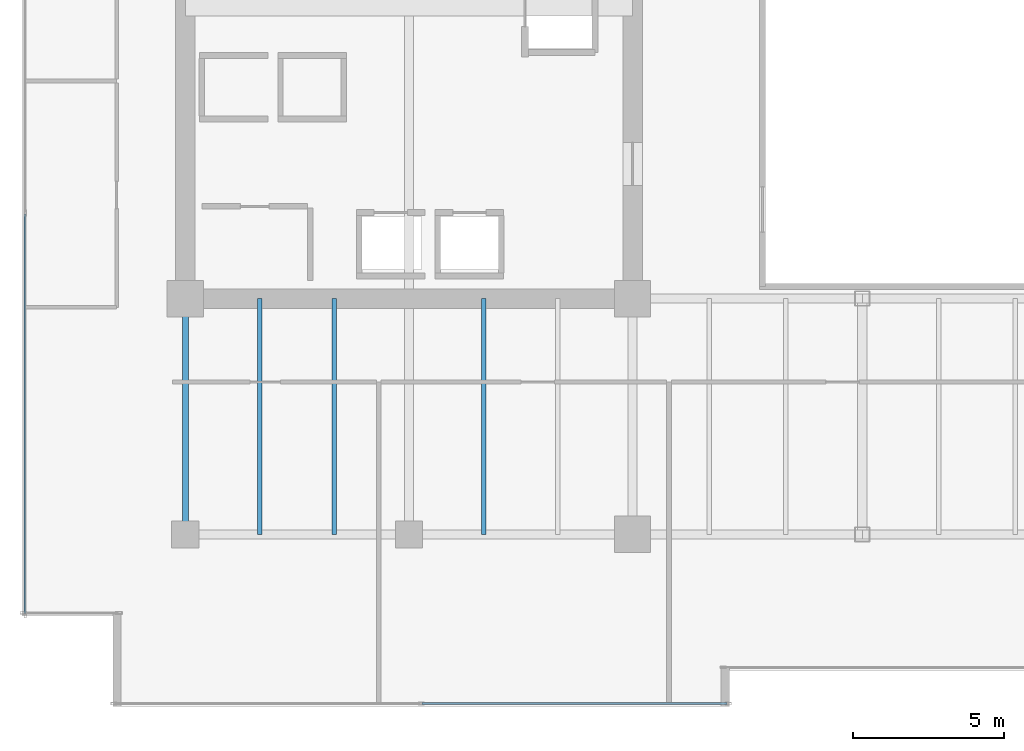
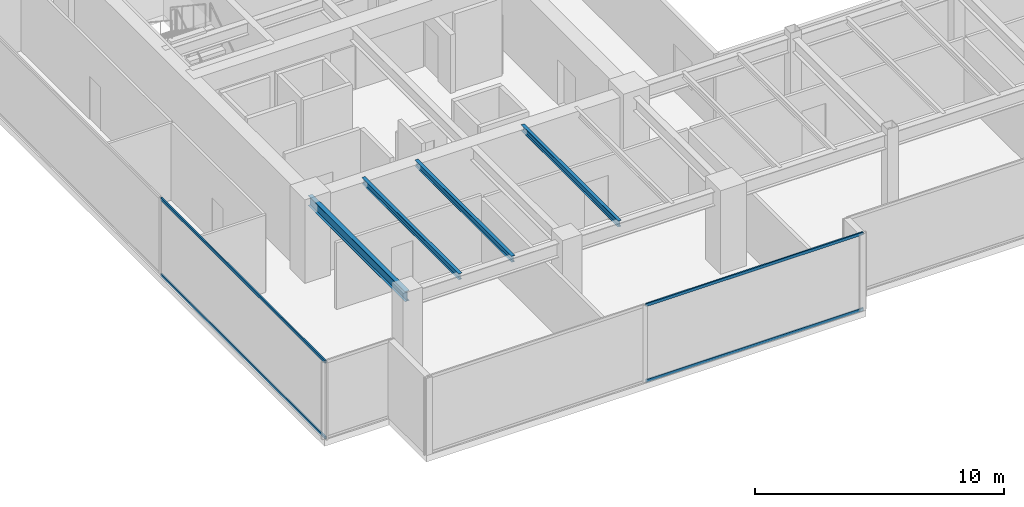
# One storey, part 3 of 30: 4 beams, 4 members, 2 elements without a shape of their own.
"""IFC4 building model written with IfcOpenShell, lengths in metres."""

from ifc_helpers import new_model, si_unit, direction, frame, origin, origin_2d, place, context, subcontext, project, spatial, hollow_rectangle, i_section, extrude, source, transform, mapped, material, layer, layer_set, material_profile, profile_set, type_object, type_shapes, element, aggregate, save


model = new_model("IFC4")

# Units and contexts
model_context = context("Model", 3, precision=1e-05, world=origin(), true_north=direction((0.0, 1.0)))
body_context = subcontext(model_context, "Body", "Model", "MODEL_VIEW")
ifc_project = project(units=[si_unit("LENGTHUNIT", "METRE"), si_unit("AREAUNIT", "SQUARE_METRE"), si_unit("VOLUMEUNIT", "CUBIC_METRE"), si_unit("PLANEANGLEUNIT", "RADIAN"), si_unit("MASSUNIT", "GRAM", prefix="KILO")], contexts=[model_context])

# Site, building, storey
site_placement = place(None, origin())
site = spatial("IfcSite", under=ifc_project, at=site_placement, CompositionType="ELEMENT")
building_placement = place(site_placement, origin())
building = spatial("IfcBuilding", under=site, at=building_placement, Name="Haelvirn Gate Laboratories", CompositionType="ELEMENT")
storey_placement = place(building_placement, frame((0.0, 0.0, 125.60009765625)))
storey = spatial("IfcBuildingStorey", under=building, at=storey_placement, Name="L30", CompositionType="ELEMENT", Elevation=125.60009765625)

# Beams
ifc_material_1 = material(Name="Steel SM355", Category="steel")
ifc_material_profile_1 = material_profile(ifc_material_1, i_section(OverallWidth=0.199951171875, OverallDepth=0.5, WebThickness=0.010009765625, FlangeThickness=0.01611328125, at=origin_2d()), Name="H-500x200x10x16")
ifc_profile_set_1 = profile_set([ifc_material_profile_1], Name="Steel SM355")
beam_type_1 = type_object("IfcBeamType", Name="BM-SP-500", PredefinedType="SPANDREL", material=ifc_profile_set_1)
shared_shape_1 = source(origin(), body_context, "Body", "SweptSolid", [
    extrude(i_section(OverallWidth=0.199951171875, OverallDepth=0.5, WebThickness=0.010009765625, FlangeThickness=0.01611328125, at=origin_2d()), origin(), (0.0, 0.0, 1.0), 7.800048828125),
])
type_shapes(beam_type_1, [shared_shape_1])
beam_placement = place(storey_placement, frame((7.39990234375, 7.0, 3.539794921875), z_axis=(0.0, 1.0, 0.0), x_axis=(-1.0, 0.0, 0.0)))
element("IfcBeam", 1, at=beam_placement, inside=storey, type_object=beam_type_1, Name="L30 Perimeter Spandrel X7.4 (7.0-14.8)", PredefinedType="SPANDREL", context=body_context, shape_type="MappedRepresentation", body=[
    mapped(shared_shape_1, transform((0.0, 0.0, 0.0), scale=1.0)),
])
ifc_material_profile_2 = material_profile(ifc_material_1, i_section(OverallWidth=0.14990234375, OverallDepth=0.300048828125, WebThickness=0.006591796875, FlangeThickness=0.009033203125, at=origin_2d()), Name="H-300x150x6.5x9")
ifc_profile_set_2 = profile_set([ifc_material_profile_2], Name="Steel SM355")
beam_type_2 = type_object("IfcBeamType", Name="BM-J-300", PredefinedType="JOIST", material=ifc_profile_set_2)
shared_shape_2 = source(origin(), body_context, "Body", "SweptSolid", [
    extrude(i_section(OverallWidth=0.14990234375, OverallDepth=0.300048828125, WebThickness=0.006591796875, FlangeThickness=0.009033203125, at=origin_2d()), origin(), (0.0, 0.0, 1.0), 7.800048828125),
])
type_shapes(beam_type_2, [shared_shape_2])
for number, where, z_axis, x_axis, name in (
    (2, (9.8701171875, 7.0, 3.639892578125), (0.0, 1.0, 0.0), (-1.0, 0.0, 0.0), "L30 Composite Lab Joist South X9.87"),
    (3, (12.330078125, 7.0, 3.639892578125), (0.0, 1.0, 0.0), (-1.0, 0.0, 0.0), "L30 Composite Lab Joist South X12.33"),
    (4, (17.27001953125, 7.0, 3.639892578125), (0.0, 1.0, 0.0), (-1.0, 0.0, 0.0), "L30 Composite Lab Joist South X17.27"),
):
    element("IfcBeam", number, at=place(storey_placement, frame(where, z_axis=z_axis, x_axis=x_axis)), inside=storey, type_object=beam_type_2, Name=name, PredefinedType="JOIST", context=body_context, shape_type="MappedRepresentation", body=[
        mapped(shared_shape_2, transform((0.0, 0.0, 0.0), scale=1.0)),
    ])

# Curtain wall, members
ifc_material_2 = material(Name="Anodised bronze unitised aluminium & triple low-E glass", Category="aluminium")
ifc_layer = layer(ifc_material_2, 0.179931640625, Name="CW-SYS-3")
ifc_layer_set = layer_set([ifc_layer], Name="Anodised bronze unitised aluminium & triple low-E glass")
curtain_wall_type = type_object("IfcCurtainWallType", Name="CW-SYS-3", PredefinedType="NOTDEFINED", material=ifc_layer_set)
curtain_wall_1_placement = place(storey_placement, origin())
curtain_wall_1 = element("IfcCurtainWall", 5, at=curtain_wall_1_placement, inside=storey, type_object=curtain_wall_type, Name="L30 Unitised Curtain Wall CW-L30-P0-E00-1", PredefinedType="NOTDEFINED")
ifc_material_3 = material(Name="Extruded aluminium 6063-T6 (anodised bronze)", Category="aluminium")
ifc_material_profile_3 = material_profile(ifc_material_3, hollow_rectangle(XDim=0.06494140625, YDim=0.139892578125, WallThickness=0.00390625, at=origin_2d()), Name="CWT-140x65x4")
ifc_profile_set_3 = profile_set([ifc_material_profile_3], Name="Extruded aluminium 6063-T6 (anodised bronze)")
member_type = type_object("IfcMemberType", Name="CWT-T140", PredefinedType="USERDEFINED", material=ifc_profile_set_3)
shared_shape_3 = source(origin(), body_context, "Body", "SweptSolid", [
    extrude(hollow_rectangle(XDim=0.06494140625, YDim=0.139892578125, WallThickness=0.00390625, at=origin_2d()), origin(), (0.0, 0.0, 1.0), 10.08740234375),
])
member_1_placement = place(storey_placement, frame((15.237548828125, 1.39990234375, 0.032470703125), z_axis=(1.0, 0.0, 0.0), x_axis=(0.0, 1.0, 0.0)))
member_1 = element("IfcMember", 6, at=member_1_placement, type_object=member_type, Name="CW3 transom 2.1", ObjectType="TRANSOM", PredefinedType="USERDEFINED", context=body_context, shape_type="MappedRepresentation", body=[
    mapped(shared_shape_3, transform((0.0, 0.0, 0.0), scale=1.0)),
])
member_2_placement = place(storey_placement, frame((15.237548828125, 1.39990234375, 3.75732421875), z_axis=(1.0, 0.0, 0.0), x_axis=(0.0, 1.0, 0.0)))
member_2 = element("IfcMember", 7, at=member_2_placement, type_object=member_type, Name="CW3 transom 2.2", ObjectType="TRANSOM", PredefinedType="USERDEFINED", context=body_context, shape_type="MappedRepresentation", body=[
    mapped(shared_shape_3, transform((0.0, 0.0, 0.0), scale=1.0)),
])
aggregate(curtain_wall_1, [member_1, member_2])

curtain_wall_2_placement = place(storey_placement, origin())
curtain_wall_2 = element("IfcCurtainWall", 8, at=curtain_wall_2_placement, inside=storey, type_object=curtain_wall_type, Name="L30 Unitised Curtain Wall CW-L30-P0-E17", PredefinedType="NOTDEFINED")
shared_shape_4 = source(origin(), body_context, "Body", "SweptSolid", [
    extrude(hollow_rectangle(XDim=0.06494140625, YDim=0.139892578125, WallThickness=0.00390625, at=origin_2d()), origin(), (0.0, 0.0, 1.0), 13.220947265625),
])
type_shapes(member_type, [shared_shape_3, shared_shape_4])
member_3_placement = place(storey_placement, frame((2.10009765625, 17.595947265625, 0.032470703125), z_axis=(0.0, -1.0, 0.0), x_axis=(1.0, 0.0, 0.0)))
member_3 = element("IfcMember", 9, at=member_3_placement, type_object=member_type, Name="CW3 transom 3.1", ObjectType="TRANSOM", PredefinedType="USERDEFINED", context=body_context, shape_type="MappedRepresentation", body=[
    mapped(shared_shape_4, transform((0.0, 0.0, 0.0), scale=1.0)),
])
member_4_placement = place(storey_placement, frame((2.10009765625, 17.595947265625, 3.75732421875), z_axis=(0.0, -1.0, 0.0), x_axis=(1.0, 0.0, 0.0)))
member_4 = element("IfcMember", 10, at=member_4_placement, type_object=member_type, Name="CW3 transom 3.2", ObjectType="TRANSOM", PredefinedType="USERDEFINED", context=body_context, shape_type="MappedRepresentation", body=[
    mapped(shared_shape_4, transform((0.0, 0.0, 0.0), scale=1.0)),
])
aggregate(curtain_wall_2, [member_3, member_4])

save(model, "model.ifc")
